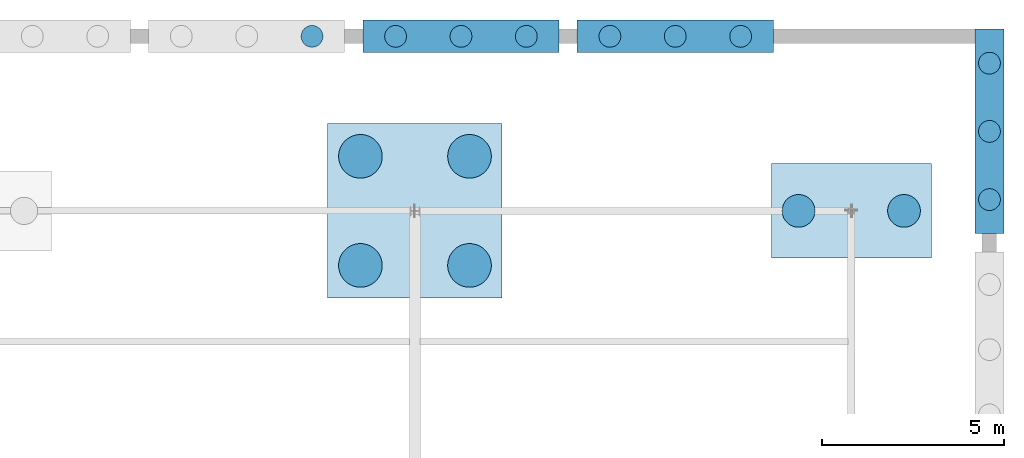
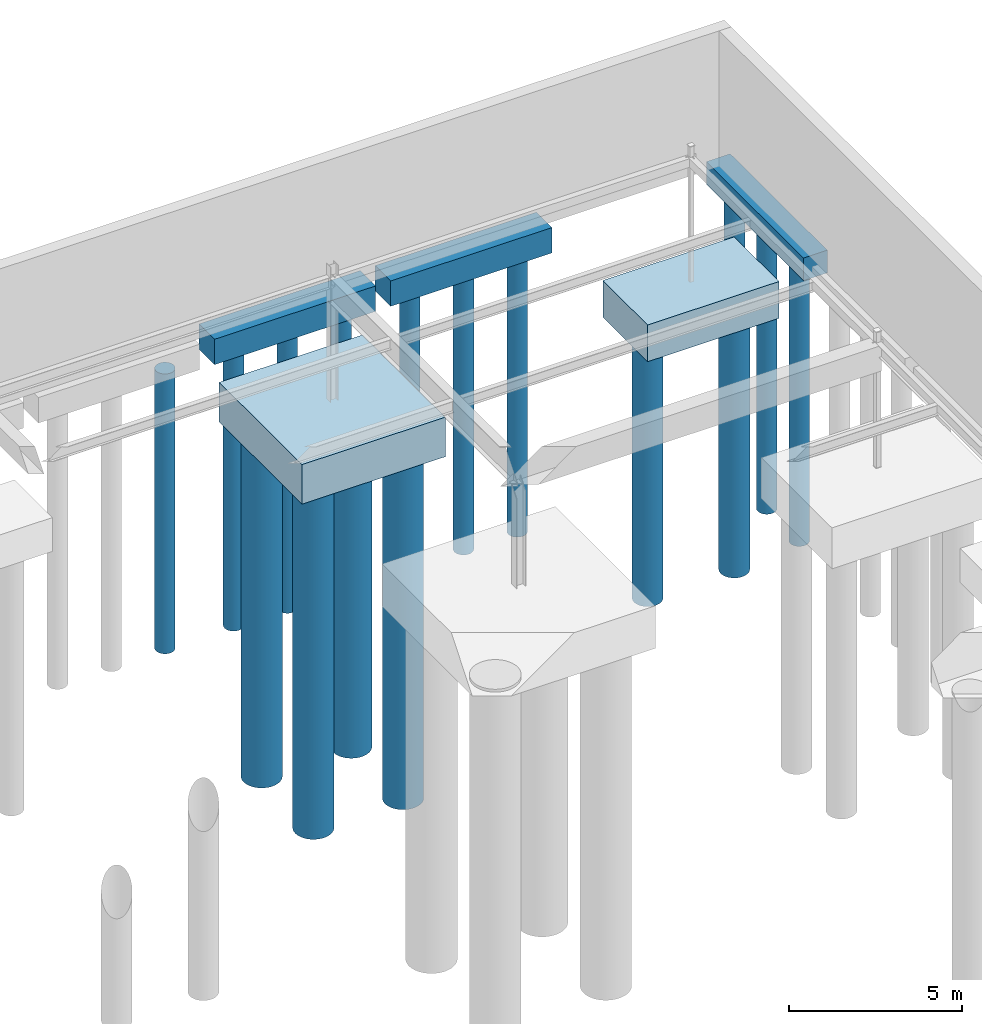
# One storey, part 10 of 136: 16 piles, 5 footings.
"""IFC4 building model written with IfcOpenShell, lengths in metres."""

from ifc_helpers import new_model, si_unit, direction, frame, origin, origin_2d, place, context, subcontext, project, spatial, rectangle, circle, extrude, material, material_profile, profile_set, type_object, element, save


model = new_model("IFC4")

# Units and contexts
model_context = context("Model", 3, precision=1e-05, world=origin(), true_north=direction((0.0, 1.0)))
body_context = subcontext(model_context, "Body", "Model", "MODEL_VIEW")
ifc_project = project(units=[si_unit("LENGTHUNIT", "METRE"), si_unit("AREAUNIT", "SQUARE_METRE"), si_unit("VOLUMEUNIT", "CUBIC_METRE"), si_unit("PLANEANGLEUNIT", "RADIAN"), si_unit("MASSUNIT", "GRAM", prefix="KILO")], contexts=[model_context])

# Site, building, storey
site_placement = place(None, origin())
site = spatial("IfcSite", under=ifc_project, at=site_placement, CompositionType="ELEMENT")
building_placement = place(site_placement, origin())
building = spatial("IfcBuilding", under=site, at=building_placement, Name="Tarnwether General Hospital", CompositionType="ELEMENT")
storey_placement = place(building_placement, frame((0.0, 0.0, -4.800048828125)))
storey = spatial("IfcBuildingStorey", under=building, at=storey_placement, Name="LG", CompositionType="ELEMENT", Elevation=-4.800048828125)

# Footings
ifc_material_1 = material(Name="Concrete 40 MPa", Category="concrete")
footing_type_1 = type_object("IfcFootingType", Name="FT-PC3", PredefinedType="PILE_CAP", material=ifc_material_1)
footing_1_placement = place(storey_placement, frame((192.0, 126.0, -1.2998046875), z_axis=(0.0, 0.0, 1.0), x_axis=(1.0, 0.0, 0.0)))
element("IfcFooting", 1, at=footing_1_placement, inside=storey, type_object=footing_type_1, Name="Pile Cap FT-CAP-0178", PredefinedType="PILE_CAP", context=body_context, shape_type="SweptSolid", body=[
    extrude(rectangle(XDim=4.39990234375, YDim=2.60009765625, at=origin_2d()), origin(), (0.0, 0.0, 1.0), 1.300048828125),
])
ifc_material_2 = material(Name="Concrete 40 MPa", Category="concrete")
footing_type_2 = type_object("IfcFootingType", Name="FT-PC4", PredefinedType="PILE_CAP", material=ifc_material_2)
footing_2_placement = place(storey_placement, frame((180.0, 126.0, -1.39990234375), z_axis=(0.0, 0.0, 1.0), x_axis=(0.0, 1.0, 0.0)))
element("IfcFooting", 2, at=footing_2_placement, inside=storey, type_object=footing_type_2, Name="Pile Cap FT-CAP-0168", PredefinedType="PILE_CAP", context=body_context, shape_type="SweptSolid", body=[
    extrude(rectangle(XDim=4.800048828125, YDim=4.800048828125, at=origin_2d()), origin(), (0.0, 0.0, 1.0), 1.39990234375),
])
ifc_material_3 = material(Name="Concrete 40 MPa", Category="concrete")
footing_type_3 = type_object("IfcFootingType", Name="FT-SF1", PredefinedType="STRIP_FOOTING", material=ifc_material_3)
footing_3_placement = place(storey_placement, frame((195.800048828125, 128.18603515625, -0.7998046875), z_axis=(0.0, 0.0, 1.0), x_axis=(0.0, 1.0, 0.0)))
element("IfcFooting", 3, at=footing_3_placement, inside=storey, type_object=footing_type_3, Name="Retaining Strip Footing FT-SF-0081", PredefinedType="STRIP_FOOTING", context=body_context, shape_type="SweptSolid", body=[
    extrude(rectangle(XDim=5.6279296875, YDim=0.800048828125, at=origin_2d()), origin(), (0.0, 0.0, 1.0), 0.800048828125),
])
ifc_material_4 = material(Name="Concrete 40 MPa", Category="concrete")
footing_type_4 = type_object("IfcFootingType", Name="FT-SF2", PredefinedType="STRIP_FOOTING", material=ifc_material_4)
for number, where, z_axis, x_axis, name in (
    (4, (187.158935546875, 130.800048828125, -0.89990234375), (0.0, 0.0, 1.0), (-1.0, 0.0, 0.0), "Retaining Strip Footing FT-SF-0082"),
    (5, (181.264892578125, 130.800048828125, -0.89990234375), (0.0, 0.0, 1.0), (-1.0, 0.0, 0.0), "Retaining Strip Footing FT-SF-0083"),
):
    element("IfcFooting", number, at=place(storey_placement, frame(where, z_axis=z_axis, x_axis=x_axis)), inside=storey, type_object=footing_type_4, Name=name, PredefinedType="STRIP_FOOTING", context=body_context, shape_type="SweptSolid", body=[
        extrude(rectangle(XDim=5.39404296875, YDim=0.89990234375, at=origin_2d()), origin(), (0.0, 0.0, 1.0), 0.89990234375),
    ])

# Piles
ifc_material_5 = material(Name="Concrete 40 MPa", Category="concrete")
ifc_material_profile_1 = material_profile(ifc_material_5, circle(Radius=0.60009765625, at=origin_2d()), Name="PILE-D1200")
ifc_profile_set_1 = profile_set([ifc_material_profile_1], Name="Concrete 40 MPa")
pile_type_1 = type_object("IfcPileType", Name="PL-1200", PredefinedType="BORED", material=ifc_profile_set_1)
for number, where, z_axis, x_axis, name in (
    (6, (181.5, 124.5, -1.300048828125), (0.0, 0.0, -1.0), (1.0, 0.0, 0.0), "Bored Pile PLG-LG-1815_1245-0514"),
    (7, (178.5, 124.5, -1.300048828125), (0.0, 0.0, -1.0), (1.0, 0.0, 0.0), "Bored Pile PLG-LG-1785_1245-0515"),
    (8, (181.5, 127.5, -1.300048828125), (0.0, 0.0, -1.0), (1.0, 0.0, 0.0), "Bored Pile PLG-LG-1815_1275-0516"),
    (9, (178.5, 127.5, -1.300048828125), (0.0, 0.0, -1.0), (1.0, 0.0, 0.0), "Bored Pile PLG-LG-1785_1275-0517"),
):
    element("IfcPile", number, at=place(storey_placement, frame(where, z_axis=z_axis, x_axis=x_axis)), inside=storey, type_object=pile_type_1, Name=name, PredefinedType="BORED", context=body_context, shape_type="SweptSolid", body=[
        extrude(circle(Radius=0.60009765625, at=origin_2d()), origin(), (0.0, 0.0, 1.0), 12.39990234375),
    ])
ifc_material_6 = material(Name="Concrete 40 MPa", Category="concrete")
ifc_material_profile_2 = material_profile(ifc_material_6, circle(Radius=0.300048828125, at=origin_2d()), Name="PILE-D600")
ifc_profile_set_2 = profile_set([ifc_material_profile_2], Name="Concrete 40 MPa")
pile_type_2 = type_object("IfcPileType", Name="PL-600", PredefinedType="BORED", material=ifc_profile_set_2)
for number, where, z_axis, x_axis, name in (
    (10, (195.800048828125, 126.31005859375, -0.699951171875), (0.0, 0.0, -1.0), (1.0, 0.0, 0.0), "Bored Pile PLG-LG-1958_1263-0726"),
    (11, (195.800048828125, 128.18603515625, -0.699951171875), (0.0, 0.0, -1.0), (1.0, 0.0, 0.0), "Bored Pile PLG-LG-1958_1282-0727"),
    (12, (195.800048828125, 130.06201171875, -0.699951171875), (0.0, 0.0, -1.0), (1.0, 0.0, 0.0), "Bored Pile PLG-LG-1958_1301-0728"),
):
    element("IfcPile", number, at=place(storey_placement, frame(where, z_axis=z_axis, x_axis=x_axis)), inside=storey, type_object=pile_type_2, Name=name, PredefinedType="BORED", context=body_context, shape_type="SweptSolid", body=[
        extrude(circle(Radius=0.300048828125, at=origin_2d()), origin(), (0.0, 0.0, 1.0), 10.0),
    ])
for number, where, z_axis, x_axis, name in (
    (13, (188.95703125, 130.800048828125, -0.800048828125), (0.0, 0.0, -1.0), (1.0, 0.0, 0.0), "Bored Pile PLG-LG-1890_1308-0729"),
    (14, (187.158935546875, 130.800048828125, -0.800048828125), (0.0, 0.0, -1.0), (1.0, 0.0, 0.0), "Bored Pile PLG-LG-1872_1308-0730"),
    (15, (185.361083984375, 130.800048828125, -0.800048828125), (0.0, 0.0, -1.0), (1.0, 0.0, 0.0), "Bored Pile PLG-LG-1854_1308-0731"),
    (16, (183.06298828125, 130.800048828125, -0.800048828125), (0.0, 0.0, -1.0), (1.0, 0.0, 0.0), "Bored Pile PLG-LG-1831_1308-0732"),
    (17, (181.264892578125, 130.800048828125, -0.800048828125), (0.0, 0.0, -1.0), (1.0, 0.0, 0.0), "Bored Pile PLG-LG-1813_1308-0733"),
    (18, (179.467041015625, 130.800048828125, -0.800048828125), (0.0, 0.0, -1.0), (1.0, 0.0, 0.0), "Bored Pile PLG-LG-1795_1308-0734"),
    (19, (177.1689453125, 130.800048828125, -0.800048828125), (0.0, 0.0, -1.0), (1.0, 0.0, 0.0), "Bored Pile PLG-LG-1772_1308-0735"),
):
    element("IfcPile", number, at=place(storey_placement, frame(where, z_axis=z_axis, x_axis=x_axis)), inside=storey, type_object=pile_type_2, Name=name, PredefinedType="BORED", context=body_context, shape_type="SweptSolid", body=[
        extrude(circle(Radius=0.300048828125, at=origin_2d()), origin(), (0.0, 0.0, 1.0), 9.89990234375),
    ])
ifc_material_7 = material(Name="Concrete 40 MPa", Category="concrete")
ifc_material_profile_3 = material_profile(ifc_material_7, circle(Radius=0.449951171875, at=origin_2d()), Name="PILE-D900")
ifc_profile_set_3 = profile_set([ifc_material_profile_3], Name="Concrete 40 MPa")
pile_type_3 = type_object("IfcPileType", Name="PL-900", PredefinedType="BORED", material=ifc_profile_set_3)
for number, where, z_axis, x_axis, name in (
    (20, (190.550048828125, 126.0, -1.199951171875), (0.0, 0.0, -1.0), (1.0, 0.0, 0.0), "Bored Pile PLG-LG-1906_1260-0547"),
    (21, (193.449951171875, 126.0, -1.199951171875), (0.0, 0.0, -1.0), (1.0, 0.0, 0.0), "Bored Pile PLG-LG-1934_1260-0548"),
):
    element("IfcPile", number, at=place(storey_placement, frame(where, z_axis=z_axis, x_axis=x_axis)), inside=storey, type_object=pile_type_3, Name=name, PredefinedType="BORED", context=body_context, shape_type="SweptSolid", body=[
        extrude(circle(Radius=0.449951171875, at=origin_2d()), origin(), (0.0, 0.0, 1.0), 9.5),
    ])

save(model, "model.ifc")
